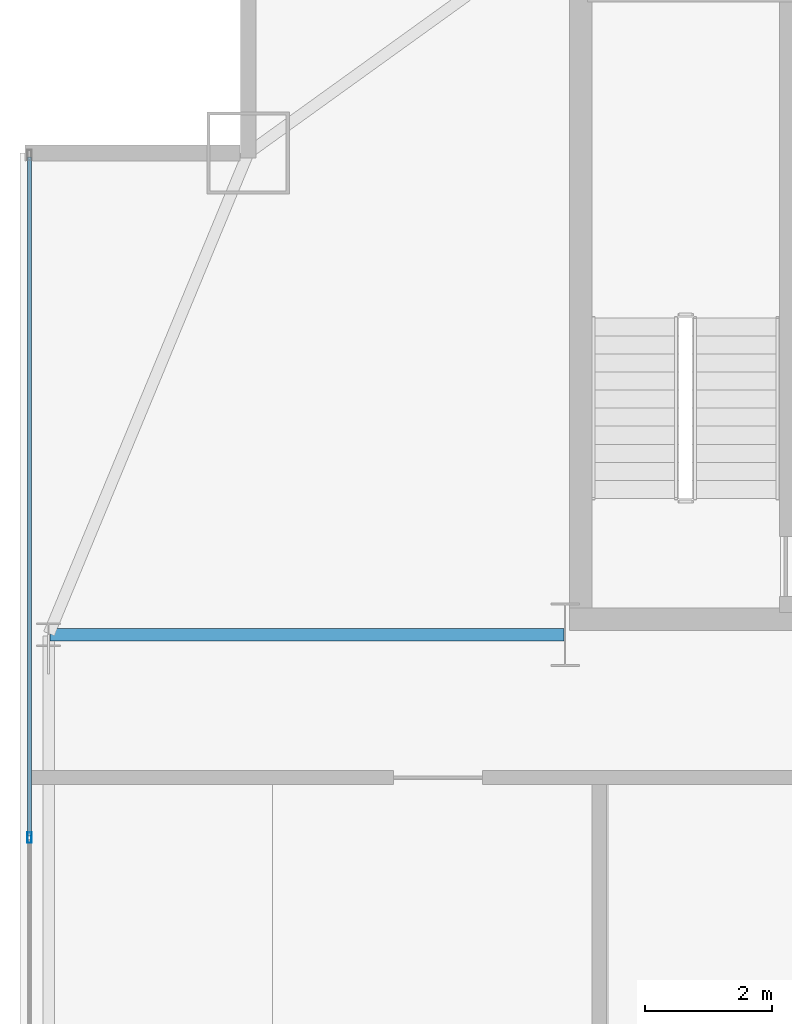
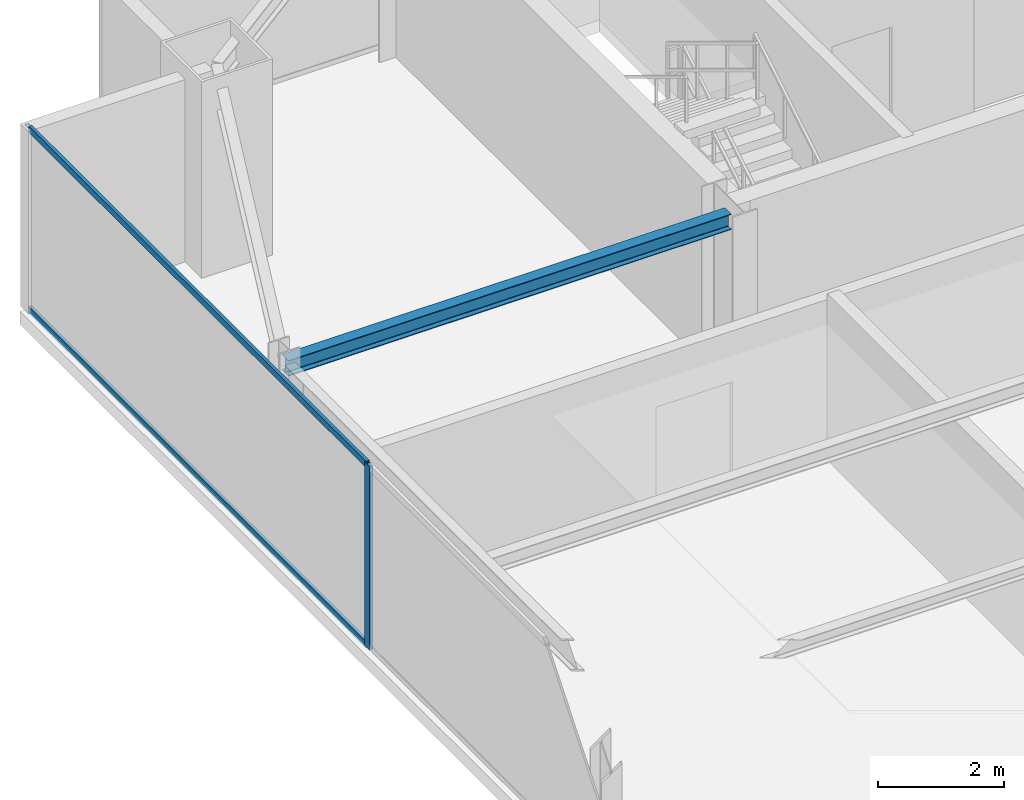
# One storey, part 11 of 29: 3 members, 1 beam, 1 element without a shape of its own.
"""IFC4 building model written with IfcOpenShell, lengths in metres."""

from ifc_helpers import new_model, si_unit, direction, frame, origin, origin_2d, place, context, subcontext, project, spatial, hollow_rectangle, i_section, extrude, source, transform, mapped, material, layer, layer_set, material_profile, profile_set, type_object, type_shapes, element, aggregate, save


model = new_model("IFC4")

# Units and contexts
model_context = context("Model", 3, precision=1e-05, world=origin(), true_north=direction((0.0, 1.0)))
body_context = subcontext(model_context, "Body", "Model", "MODEL_VIEW")
ifc_project = project(units=[si_unit("LENGTHUNIT", "METRE"), si_unit("AREAUNIT", "SQUARE_METRE"), si_unit("VOLUMEUNIT", "CUBIC_METRE"), si_unit("PLANEANGLEUNIT", "RADIAN"), si_unit("MASSUNIT", "GRAM", prefix="KILO")], contexts=[model_context])

# Site, building, storey
site_placement = place(None, origin())
site = spatial("IfcSite", under=ifc_project, at=site_placement, CompositionType="ELEMENT")
building_placement = place(site_placement, origin())
building = spatial("IfcBuilding", under=site, at=building_placement, Name="Varnel Quay Broadcast Tower", CompositionType="ELEMENT")
storey_placement = place(building_placement, frame((0.0, 0.0, 172.39990234375)))
storey = spatial("IfcBuildingStorey", under=building, at=storey_placement, Name="L42", CompositionType="ELEMENT", Elevation=172.39990234375)

# Beam
ifc_material_1 = material(Name="Structural Steel CSA G40.21 350W", Category="steel")
ifc_material_profile_1 = material_profile(ifc_material_1, i_section(OverallWidth=0.202880859375, OverallDepth=0.302978515625, WebThickness=0.007568359375, FlangeThickness=0.01318359375, FilletRadius=0.011962890625, at=origin_2d()), Name="W310X60")
ifc_profile_set_1 = profile_set([ifc_material_profile_1], Name="Structural Steel CSA G40.21 350W")
beam_type = type_object("IfcBeamType", Name="Beam_W310X60", PredefinedType="JOIST", material=ifc_profile_set_1)
shared_shape_1 = source(origin(), body_context, "Body", "SweptSolid", [
    extrude(i_section(OverallWidth=0.202880859375, OverallDepth=0.302978515625, WebThickness=0.007568359375, FlangeThickness=0.01318359375, FilletRadius=0.011962890625, at=origin_2d()), origin(), (0.0, 0.0, 1.0), 8.110107421875),
])
type_shapes(beam_type, [shared_shape_1])
beam_placement = place(storey_placement, frame((7.469970703125, 35.60009765625, 3.398681640625), z_axis=(1.0, 0.0, 0.0), x_axis=(0.0, 1.0, 0.0)))
element("IfcBeam", 1, at=beam_placement, inside=storey, type_object=beam_type, Name="L42 West Core Tie Joist", PredefinedType="JOIST", context=body_context, shape_type="MappedRepresentation", body=[
    mapped(shared_shape_1, transform((0.0, 0.0, 0.0), x_axis=(1.0, 0.0, 0.0), y_axis=(0.0, 1.0, 0.0), z_axis=(0.0, 0.0, 1.0), scale=1.0)),
])

# Curtain wall, members
ifc_material_2 = material(Name="Anodised Bronze Aluminium 6063-T6", Category="aluminium")
ifc_layer = layer(ifc_material_2, 0.18994140625, Name="Anodised Bronze Aluminium 6063-T6")
ifc_layer_set = layer_set([ifc_layer], Name="Anodised Bronze Aluminium 6063-T6")
curtain_wall_type = type_object("IfcCurtainWallType", Name="CW_UpperTower", PredefinedType="NOTDEFINED", material=ifc_layer_set)
curtain_wall_placement = place(storey_placement, origin())
curtain_wall = element("IfcCurtainWall", 2, at=curtain_wall_placement, inside=storey, type_object=curtain_wall_type, Name="L42 West Unitised Curtain Wall", PredefinedType="NOTDEFINED")
ifc_material_profile_2 = material_profile(ifc_material_2, hollow_rectangle(XDim=0.06494140625, YDim=0.1650390625, WallThickness=0.00341796875, at=origin_2d()), Name="ALU65X165X3.5")
ifc_profile_set_2 = profile_set([ifc_material_profile_2], Name="Anodised Bronze Aluminium 6063-T6")
member_type_1 = type_object("IfcMemberType", Name="Mull_CWS-03", PredefinedType="MULLION", material=ifc_profile_set_2)
shared_shape_2 = source(origin(), body_context, "Body", "SweptSolid", [
    extrude(hollow_rectangle(XDim=0.06494140625, YDim=0.1650390625, WallThickness=0.00341796875, at=origin_2d()), origin(), (0.0, 0.0, 1.0), 3.550048828125),
])
type_shapes(member_type_1, [shared_shape_2])
member_1_placement = place(storey_placement, frame((7.14990234375, 32.39990234375, 0.0), z_axis=(0.0, 0.0, 1.0), x_axis=(-1.0, 0.0, 0.0)))
member_1 = element("IfcMember", 3, at=member_1_placement, type_object=member_type_1, Name="CWS-03 mullion 3", PredefinedType="MULLION", context=body_context, shape_type="MappedRepresentation", body=[
    mapped(shared_shape_2, transform((0.0, 0.0, 0.0), x_axis=(1.0, 0.0, 0.0), y_axis=(0.0, 1.0, 0.0), z_axis=(0.0, 0.0, 1.0), scale=1.0)),
])
ifc_material_profile_3 = material_profile(ifc_material_2, hollow_rectangle(XDim=0.06005859375, YDim=0.125, WallThickness=0.0029296875, at=origin_2d()), Name="ALU60X125X3")
ifc_profile_set_3 = profile_set([ifc_material_profile_3], Name="Anodised Bronze Aluminium 6063-T6")
member_type_2 = type_object("IfcMemberType", Name="Tran_CWS-03", PredefinedType="USERDEFINED", material=ifc_profile_set_3)
shared_shape_3 = source(origin(), body_context, "Body", "SweptSolid", [
    extrude(hollow_rectangle(XDim=0.06005859375, YDim=0.125, WallThickness=0.0029296875, at=origin_2d()), origin(), (0.0, 0.0, 1.0), 10.702392578125),
])
type_shapes(member_type_2, [shared_shape_3])
member_2_placement = place(storey_placement, frame((7.14990234375, 32.4326171875, 0.030029296875), z_axis=(0.0, 1.0, 0.0), x_axis=(-1.0, 0.0, 0.0)))
member_2 = element("IfcMember", 4, at=member_2_placement, type_object=member_type_2, Name="CWS-03 transom 3.1", ObjectType="TRANSOM", PredefinedType="USERDEFINED", context=body_context, shape_type="MappedRepresentation", body=[
    mapped(shared_shape_3, transform((0.0, 0.0, 0.0), x_axis=(1.0, 0.0, 0.0), y_axis=(0.0, 1.0, 0.0), z_axis=(0.0, 0.0, 1.0), scale=1.0)),
])
member_3_placement = place(storey_placement, frame((7.14990234375, 32.4326171875, 3.52001953125), z_axis=(0.0, 1.0, 0.0), x_axis=(-1.0, 0.0, 0.0)))
member_3 = element("IfcMember", 5, at=member_3_placement, type_object=member_type_2, Name="CWS-03 transom 3.2", ObjectType="TRANSOM", PredefinedType="USERDEFINED", context=body_context, shape_type="MappedRepresentation", body=[
    mapped(shared_shape_3, transform((0.0, 0.0, 0.0), x_axis=(1.0, 0.0, 0.0), y_axis=(0.0, 1.0, 0.0), z_axis=(0.0, 0.0, 1.0), scale=1.0)),
])
aggregate(curtain_wall, [member_1, member_2, member_3])

save(model, "model.ifc")
